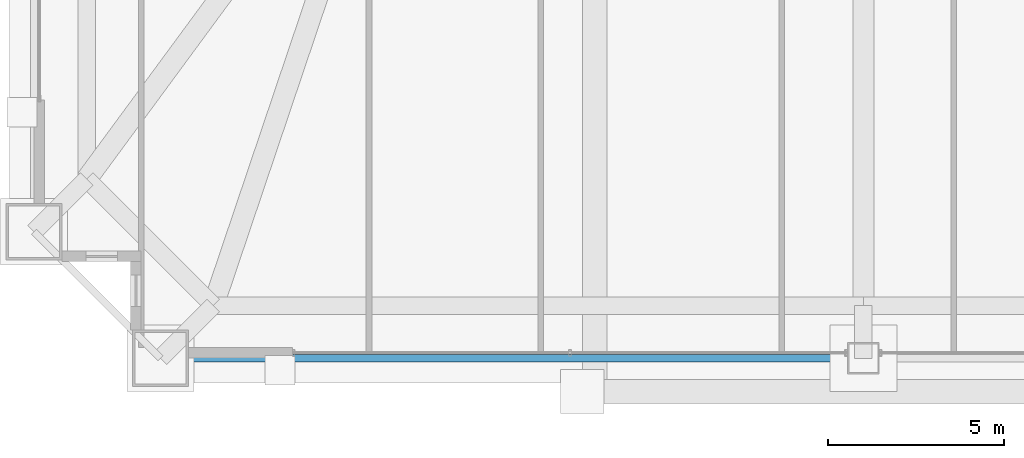
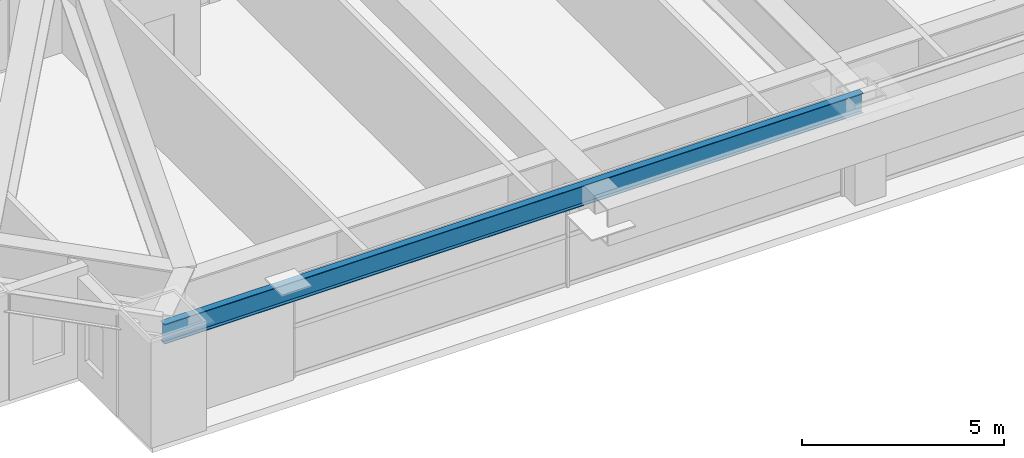
# One storey, part 5 of 45: 1 beam.
"""IFC4 building model written with IfcOpenShell, lengths in metres."""

from ifc_helpers import new_model, si_unit, direction, frame, origin, origin_2d, place, context, subcontext, project, spatial, i_section, extrude, source, transform, mapped, material, material_profile, profile_set, type_object, element, save


model = new_model("IFC4")

# Units and contexts
model_context = context("Model", 3, precision=1e-05, world=origin(), true_north=direction((0.0, 1.0)))
body_context = subcontext(model_context, "Body", "Model", "MODEL_VIEW")
ifc_project = project(units=[si_unit("LENGTHUNIT", "METRE"), si_unit("AREAUNIT", "SQUARE_METRE"), si_unit("VOLUMEUNIT", "CUBIC_METRE"), si_unit("PLANEANGLEUNIT", "RADIAN"), si_unit("MASSUNIT", "GRAM", prefix="KILO"), si_unit("THERMODYNAMICTEMPERATUREUNIT", "KELVIN"), si_unit("POWERUNIT", "WATT")], contexts=[model_context])

# Site, building, storey
site_placement = place(None, origin())
site = spatial("IfcSite", under=ifc_project, at=site_placement, CompositionType="ELEMENT")
building_placement = place(site_placement, origin())
building = spatial("IfcBuilding", under=site, at=building_placement, Name="Yuzanri Waterfront Tower", CompositionType="ELEMENT")
storey_placement = place(building_placement, frame((0.0, 0.0, 163.199951171875)))
storey = spatial("IfcBuildingStorey", under=building, at=storey_placement, Name="L43", CompositionType="ELEMENT", Elevation=163.199951171875)

# Beam
ifc_material = material(Name="Steel Q355B", Category="steel")
ifc_material_profile = material_profile(ifc_material, i_section(OverallWidth=0.199951171875, OverallDepth=0.60009765625, WebThickness=0.010986328125, FlangeThickness=0.01708984375, at=origin_2d()), Name="HN 600x200x11x17")
ifc_profile_set = profile_set([ifc_material_profile], Name="Steel Q355B")
beam_type = type_object("IfcBeamType", Name="Perimeter Spandrel Q355B HN 600x200", PredefinedType="SPANDREL", material=ifc_profile_set)
shared_shape = source(origin(), body_context, "Body", "SweptSolid", [
    extrude(i_section(OverallWidth=0.199951171875, OverallDepth=0.60009765625, WebThickness=0.010986328125, FlangeThickness=0.01708984375, at=origin_2d()), origin(), (0.0, 0.0, 1.0), 20.0),
])
beam_placement = place(storey_placement, frame((17.0, 2.199951171875, 2.75), z_axis=(1.0, 0.0, 0.0), x_axis=(0.0, 1.0, 0.0)))
element("IfcBeam", 1, at=beam_placement, inside=storey, type_object=beam_type, Name="L43 Perimeter Spandrel S1-S2", PredefinedType="SPANDREL", context=body_context, shape_type="MappedRepresentation", body=[
    mapped(shared_shape, transform((0.0, 0.0, 0.0), scale=1.0)),
])

save(model, "model.ifc")
